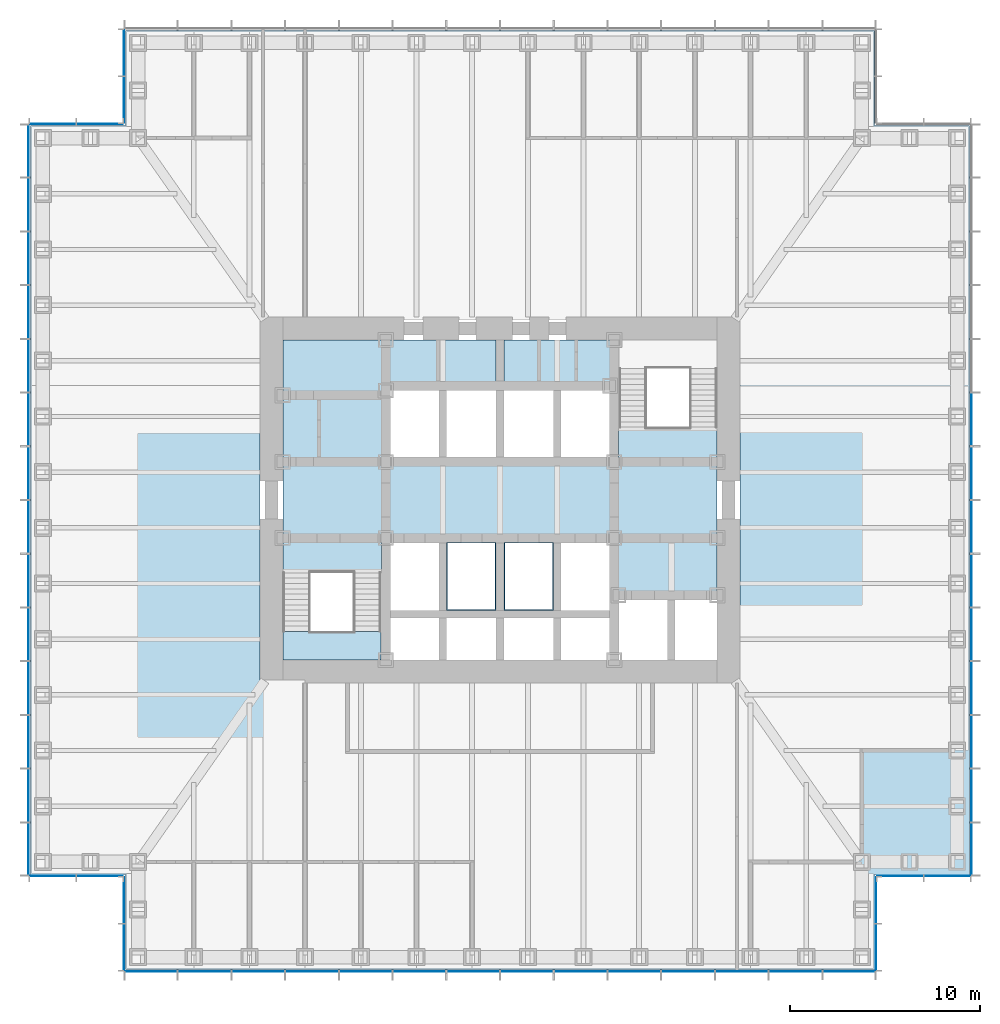
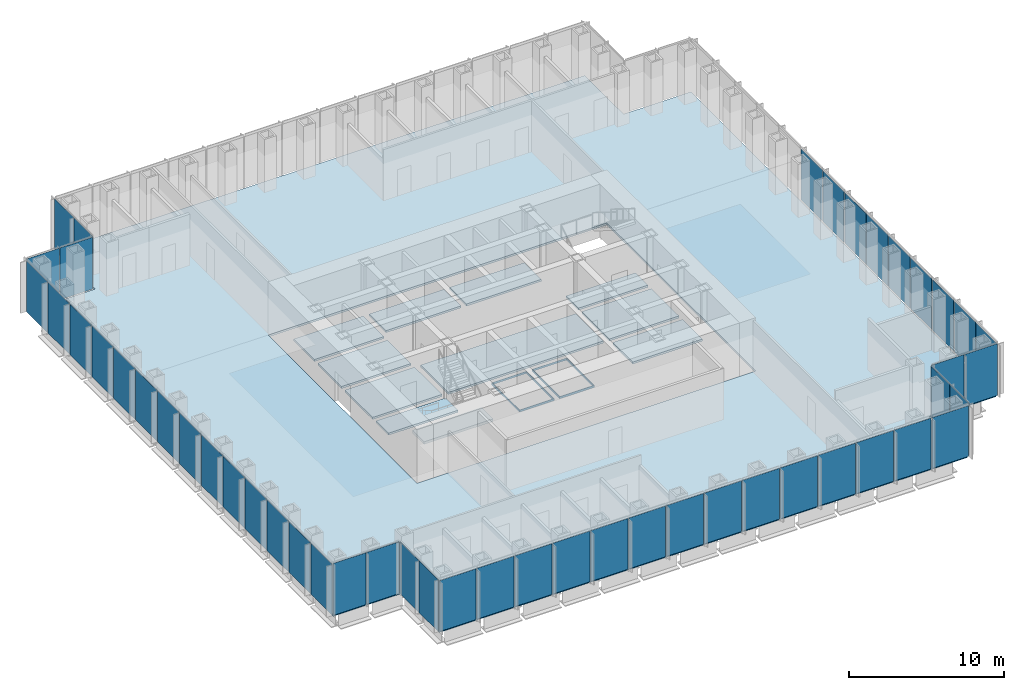
# One storey, part 7 of 16: 49 plates, 14 slabs, 10 elements without a shape of their own.
"""IFC4 building model written with IfcOpenShell, lengths in metres."""

import ifcopenshell
import ifcopenshell.guid

model = None  # the IFC model being written
_history = None  # IfcOwnerHistory: only IFC2X3 demands one
_inside = {}  # id of a spatial element -> (the spatial element, [elements in it])
_under = {}  # id of a project, library or spatial element -> (it, [spatial elements below it])
_declared = {}  # id of a project -> (the project, [libraries it declares])
_typed = {}  # id of a type object -> (the type object, [elements of that type])
_made_of = {}  # id of a material, layer set ... -> (it, [elements and type objects made of it])


def new_model(schema):
    """Start an empty IFC model of exactly this schema.

    Asked for "IFC4X3", IfcOpenShell would pick the latest addendum, in which some entities
    have other attributes; the version numbers below select the first issue.
    IFC2X3 requires an IfcOwnerHistory on every rooted entity: one is made here for all.
    """
    global model, _history
    if schema == "IFC4X3":
        model = ifcopenshell.file(schema_version=(4, 3, 0, 0))
    else:
        model = ifcopenshell.file(schema=schema)
    _inside.clear()
    _under.clear()
    _declared.clear()
    _typed.clear()
    _made_of.clear()
    _history = None
    if model.schema == "IFC2X3":
        org = make("IfcOrganization", Name="unknown")
        user = make(
            "IfcPersonAndOrganization",
            ThePerson=make("IfcPerson", FamilyName="unknown"),
            TheOrganization=org,
        )
        app = make(
            "IfcApplication",
            ApplicationDeveloper=org,
            Version="unknown",
            ApplicationFullName="unknown",
            ApplicationIdentifier="unknown",
        )
        _history = make(
            "IfcOwnerHistory",
            OwningUser=user,
            OwningApplication=app,
            ChangeAction="ADDED",
            CreationDate=0,
        )
    return model


def make(cls, **values):
    """One entity of the class cls with the attributes given. An attribute that is None is left unset."""
    return model.create_entity(
        cls, **{name: value for name, value in values.items() if value is not None}
    )


def rooted(cls, **values):
    """An entity with a GlobalId (a new one), such as an element, a storey or a relation."""
    return make(cls, GlobalId=ifcopenshell.guid.new(), OwnerHistory=_history, **values)


def si_unit(unit_type, name, prefix=None):
    """IfcSIUnit, for example si_unit("LENGTHUNIT", "METRE", prefix="MILLI")."""
    return make("IfcSIUnit", UnitType=unit_type, Prefix=prefix, Name=name)


def assignment(units):
    """IfcUnitAssignment: the units of a project."""
    return None if units is None else make("IfcUnitAssignment", Units=units)


def point(xyz):
    """IfcCartesianPoint."""
    return None if xyz is None else make("IfcCartesianPoint", Coordinates=xyz)


def direction(xyz):
    """IfcDirection."""
    return None if xyz is None else make("IfcDirection", DirectionRatios=xyz)


def frame(location, z_axis=None, x_axis=None):
    """IfcAxis2Placement3D, a coordinate frame: its origin and axes. An axis left out is left unset."""
    return make(
        "IfcAxis2Placement3D",
        Location=point(location),
        Axis=direction(z_axis),
        RefDirection=direction(x_axis),
    )


def frame_2d(location, x_axis=None):
    """IfcAxis2Placement2D, a coordinate frame in the plane: its origin and x axis."""
    return make(
        "IfcAxis2Placement2D", Location=point(location), RefDirection=direction(x_axis)
    )


def origin():
    """The frame at (0, 0, 0) with its axes left unset."""
    return frame((0.0, 0.0, 0.0))


def origin_2d():
    """The frame at (0, 0) in the plane with its x axis left unset."""
    return frame_2d((0.0, 0.0))


def place(relative_to, where):
    """IfcLocalPlacement: puts the frame where relative to a parent placement (None: the world)."""
    return make(
        "IfcLocalPlacement", PlacementRelTo=relative_to, RelativePlacement=where
    )


def context(
    kind, dimensions, precision=None, world=None, true_north=None, identifier=None
):
    """IfcGeometricRepresentationContext, for example the 3D "Model" context."""
    return make(
        "IfcGeometricRepresentationContext",
        ContextIdentifier=identifier,
        ContextType=kind,
        CoordinateSpaceDimension=dimensions,
        Precision=precision,
        WorldCoordinateSystem=world,
        TrueNorth=true_north,
    )


def subcontext(parent, identifier, kind, view, scale=None):
    """IfcGeometricRepresentationSubContext, for example "Body" below "Model"."""
    return make(
        "IfcGeometricRepresentationSubContext",
        ContextIdentifier=identifier,
        ContextType=kind,
        ParentContext=parent,
        TargetScale=scale,
        TargetView=view,
    )


def project(units=None, contexts=None):
    """IfcProject with its units and contexts."""
    return rooted(
        "IfcProject",
        Name="project",
        RepresentationContexts=contexts,
        UnitsInContext=assignment(units),
    )


def spatial(cls, under=None, at=None, **own):
    """A site, building, storey or space (cls), placed at a placement, below another one or the project."""
    s = rooted(cls, ObjectPlacement=at, **own)
    if under is not None:
        _under.setdefault(under.id(), (under, []))[1].append(s)
    return s


def polyline(points):
    """IfcPolyline through the points."""
    return make("IfcPolyline", Points=[point(p) for p in points])


def profile(cls, at=None, kind="AREA", **sizes):
    """A parametric profile (cls). Its sizes go by their IFC names, for example OverallWidth=200.0."""
    return make(cls, ProfileType=kind, Position=at, **sizes)


def rectangle(**sizes):
    """IfcRectangleProfileDef."""
    return profile("IfcRectangleProfileDef", **sizes)


def outline(outer, holes=None, kind="AREA"):
    """IfcArbitraryClosedProfileDef: a profile drawn as a closed curve; with holes, ...WithVoids."""
    if holes is None:
        return make("IfcArbitraryClosedProfileDef", ProfileType=kind, OuterCurve=outer)
    return make(
        "IfcArbitraryProfileDefWithVoids",
        ProfileType=kind,
        OuterCurve=outer,
        InnerCurves=holes,
    )


def extrude(swept, where, along, depth):
    """IfcExtrudedAreaSolid: the profile swept, set in the frame where, extruded along a direction by depth."""
    return make(
        "IfcExtrudedAreaSolid",
        SweptArea=swept,
        Position=where,
        ExtrudedDirection=direction(along),
        Depth=depth,
    )


def shape(context_of_items, identifier, shape_type, items):
    """IfcShapeRepresentation: the items that make up one representation, for example the "Body"."""
    return make(
        "IfcShapeRepresentation",
        ContextOfItems=context_of_items,
        RepresentationIdentifier=identifier,
        RepresentationType=shape_type,
        Items=items,
    )


def material(Name=None, Category=None):
    """IfcMaterial."""
    return make("IfcMaterial", Name=Name, Category=Category)


def layer(
    of_material, thickness, ventilated=None, Name=None, Category=None, Priority=None
):
    """IfcMaterialLayer: one layer of a wall or slab, of a material (None: an air gap)."""
    return make(
        "IfcMaterialLayer",
        Material=of_material,
        LayerThickness=thickness,
        IsVentilated=ventilated,
        Name=Name,
        Category=Category,
        Priority=Priority,
    )


def layer_set(layers, Name=None):
    """IfcMaterialLayerSet."""
    return make("IfcMaterialLayerSet", MaterialLayers=layers, LayerSetName=Name)


def made_of(thing, what):
    """Note that an element or type object is made of a material, layer set ...; save() writes the relation."""
    if what is not None:
        _made_of.setdefault(what.id(), (what, []))[1].append(thing)
    return thing


def type_object(cls, material=None, **own):
    """A type object (cls), such as IfcWallType, which elements share."""
    return made_of(rooted(cls, **own), material)


def element(
    cls,
    number,
    at=None,
    inside=None,
    cuts=None,
    type_object=None,
    material=None,
    context=None,
    identifier="Body",
    shape_type=None,
    held_by="IfcProductDefinitionShape",
    body=None,
    shapes=None,
    **own,
):
    """One element of the class cls, such as IfcWall. Its Tag is "e" and its number.

    at: its placement. inside: the storey or other place that contains it. cuts: it is an
    opening in that element (IfcRelVoidsElement). A single representation is given by context,
    identifier, shape_type and body (its items); several are given by shapes. held_by: the class
    of the entity that holds the representations. save() writes the other relations.
    """
    e = rooted(cls, Tag="e%d" % number, ObjectPlacement=at, **own)
    if body is not None:
        shapes = [shape(context, identifier, shape_type, body)]
    if shapes is not None:
        e.Representation = make(held_by, Representations=shapes)
    if inside is not None:
        _inside.setdefault(inside.id(), (inside, []))[1].append(e)
    if cuts is not None:
        rooted(
            "IfcRelVoidsElement", RelatingBuildingElement=cuts, RelatedOpeningElement=e
        )
    if type_object is not None:
        _typed.setdefault(type_object.id(), (type_object, []))[1].append(e)
    return made_of(e, material)


def aggregate(whole, parts):
    """IfcRelAggregates: a whole, such as a stair, and the parts it consists of."""
    return rooted("IfcRelAggregates", RelatingObject=whole, RelatedObjects=parts)


def save(model, path):
    """Write the relations noted so far, then the file.

    IfcRelAggregates (storeys below a building ...), IfcRelContainedInSpatialStructure (elements
    in a storey), IfcRelDefinesByType, IfcRelAssociatesMaterial and IfcRelDeclares: one each for
    every whole, place, type object, material and project.
    """
    for whole, parts in _under.values():
        aggregate(whole, parts)
    for where, things in _inside.values():
        rooted(
            "IfcRelContainedInSpatialStructure",
            RelatedElements=things,
            RelatingStructure=where,
        )
    for kind, things in _typed.values():
        rooted("IfcRelDefinesByType", RelatedObjects=things, RelatingType=kind)
    for what, things in _made_of.values():
        rooted("IfcRelAssociatesMaterial", RelatedObjects=things, RelatingMaterial=what)
    for by, libraries in _declared.values():
        rooted("IfcRelDeclares", RelatingContext=by, RelatedDefinitions=libraries)
    model.write(path)


model = new_model("IFC4")

# Units and contexts
model_context = context("Model", 3, precision=1e-05, world=origin(), true_north=direction((0.0, 1.0)))
body_context = subcontext(model_context, "Body", "Model", "MODEL_VIEW")
ifc_project = project(units=[si_unit("LENGTHUNIT", "METRE"), si_unit("AREAUNIT", "SQUARE_METRE"), si_unit("VOLUMEUNIT", "CUBIC_METRE"), si_unit("PLANEANGLEUNIT", "RADIAN"), si_unit("MASSUNIT", "GRAM", prefix="KILO")], contexts=[model_context])

# Site, building, storey
site_placement = place(None, origin())
site = spatial("IfcSite", under=ifc_project, at=site_placement, CompositionType="ELEMENT")
building_placement = place(site_placement, origin())
building = spatial("IfcBuilding", under=site, at=building_placement, Name="Daluyong Arena Tower", CompositionType="ELEMENT")
storey_placement = place(building_placement, frame((0.0, 0.0, 93.699951171875)))
storey = spatial("IfcBuildingStorey", under=building, at=storey_placement, Name="L20", CompositionType="ELEMENT", Elevation=93.699951171875)

# Curtain wall, plates
ifc_material_1 = material(Name="Bronze anodised aluminium and glass", Category="aluminium")
curtain_wall_type_1 = type_object("IfcCurtainWallType", Name="Curtain wall CW1", PredefinedType="USERDEFINED", material=ifc_material_1)
curtain_wall_1_placement = place(storey_placement, origin())
curtain_wall_1 = element("IfcCurtainWall", 1, at=curtain_wall_1_placement, inside=storey, type_object=curtain_wall_type_1, Name="curtain wall L20 S", ObjectType="UNITISED CURTAIN WALL", PredefinedType="USERDEFINED")
ifc_material_2 = material(Name="Tinted double glazed unit", Category="glass")
ifc_layer_1 = layer(ifc_material_2, 0.031982421875)
ifc_layer_set_1 = layer_set([ifc_layer_1], Name="Tinted double glazed unit")
plate_type_1 = type_object("IfcPlateType", Name="CW1 panel 32", PredefinedType="CURTAIN_PANEL", material=ifc_layer_set_1)
plate_1_placement = place(storey_placement, frame((37.6806640625, 55.25, 0.0), z_axis=(0.0, 0.0, 1.0), x_axis=(1.0, 0.0, 0.0)))
plate_1 = element("IfcPlate", 2, at=plate_1_placement, type_object=plate_type_1, Name="curtain wall L20 S panel 1", PredefinedType="CURTAIN_PANEL", context=body_context, shape_type="SweptSolid", body=[
    extrude(rectangle(XDim=2.701416015625, YDim=0.031982421875, at=origin_2d()), origin(), (0.0, 0.0, 1.0), 4.0),
])
plate_2_placement = place(storey_placement, frame((40.482177734375, 55.25, 0.0), z_axis=(0.0, 0.0, 1.0), x_axis=(1.0, 0.0, 0.0)))
plate_2 = element("IfcPlate", 3, at=plate_2_placement, type_object=plate_type_1, Name="curtain wall L20 S panel 2", PredefinedType="CURTAIN_PANEL", context=body_context, shape_type="SweptSolid", body=[
    extrude(rectangle(XDim=2.741455078125, YDim=0.031982421875, at=origin_2d()), origin(), (0.0, 0.0, 1.0), 4.0),
])
plate_3_placement = place(storey_placement, frame((43.303466796875, 55.25, 0.0), z_axis=(0.0, 0.0, 1.0), x_axis=(1.0, 0.0, 0.0)))
plate_3 = element("IfcPlate", 4, at=plate_3_placement, type_object=plate_type_1, Name="curtain wall L20 S panel 3", PredefinedType="CURTAIN_PANEL", context=body_context, shape_type="SweptSolid", body=[
    extrude(rectangle(XDim=2.741455078125, YDim=0.031982421875, at=origin_2d()), origin(), (0.0, 0.0, 1.0), 4.0),
])
plate_4_placement = place(storey_placement, frame((46.125, 55.25, 0.0), z_axis=(0.0, 0.0, 1.0), x_axis=(1.0, 0.0, 0.0)))
plate_4 = element("IfcPlate", 5, at=plate_4_placement, type_object=plate_type_1, Name="curtain wall L20 S panel 4", PredefinedType="CURTAIN_PANEL", context=body_context, shape_type="SweptSolid", body=[
    extrude(rectangle(XDim=2.741455078125, YDim=0.031982421875, at=origin_2d()), origin(), (0.0, 0.0, 1.0), 4.0),
])
plate_5_placement = place(storey_placement, frame((48.946533203125, 55.25, 0.0), z_axis=(0.0, 0.0, 1.0), x_axis=(1.0, 0.0, 0.0)))
plate_5 = element("IfcPlate", 6, at=plate_5_placement, type_object=plate_type_1, Name="curtain wall L20 S panel 5", PredefinedType="CURTAIN_PANEL", context=body_context, shape_type="SweptSolid", body=[
    extrude(rectangle(XDim=2.741455078125, YDim=0.031982421875, at=origin_2d()), origin(), (0.0, 0.0, 1.0), 4.0),
])
plate_6_placement = place(storey_placement, frame((51.767822265625, 55.25, 0.0), z_axis=(0.0, 0.0, 1.0), x_axis=(1.0, 0.0, 0.0)))
plate_6 = element("IfcPlate", 7, at=plate_6_placement, type_object=plate_type_1, Name="curtain wall L20 S panel 6", PredefinedType="CURTAIN_PANEL", context=body_context, shape_type="SweptSolid", body=[
    extrude(rectangle(XDim=2.741455078125, YDim=0.031982421875, at=origin_2d()), origin(), (0.0, 0.0, 1.0), 4.0),
])
plate_7_placement = place(storey_placement, frame((54.58935546875, 55.25, 0.0), z_axis=(0.0, 0.0, 1.0), x_axis=(1.0, 0.0, 0.0)))
plate_7 = element("IfcPlate", 8, at=plate_7_placement, type_object=plate_type_1, Name="curtain wall L20 S panel 7", PredefinedType="CURTAIN_PANEL", context=body_context, shape_type="SweptSolid", body=[
    extrude(rectangle(XDim=2.741455078125, YDim=0.031982421875, at=origin_2d()), origin(), (0.0, 0.0, 1.0), 4.0),
])
plate_8_placement = place(storey_placement, frame((57.41064453125, 55.25, 0.0), z_axis=(0.0, 0.0, 1.0), x_axis=(1.0, 0.0, 0.0)))
plate_8 = element("IfcPlate", 9, at=plate_8_placement, type_object=plate_type_1, Name="curtain wall L20 S panel 8", PredefinedType="CURTAIN_PANEL", context=body_context, shape_type="SweptSolid", body=[
    extrude(rectangle(XDim=2.741455078125, YDim=0.031982421875, at=origin_2d()), origin(), (0.0, 0.0, 1.0), 4.0),
])
plate_9_placement = place(storey_placement, frame((60.232177734375, 55.25, 0.0), z_axis=(0.0, 0.0, 1.0), x_axis=(1.0, 0.0, 0.0)))
plate_9 = element("IfcPlate", 10, at=plate_9_placement, type_object=plate_type_1, Name="curtain wall L20 S panel 9", PredefinedType="CURTAIN_PANEL", context=body_context, shape_type="SweptSolid", body=[
    extrude(rectangle(XDim=2.741455078125, YDim=0.031982421875, at=origin_2d()), origin(), (0.0, 0.0, 1.0), 4.0),
])
plate_10_placement = place(storey_placement, frame((63.053466796875, 55.25, 0.0), z_axis=(0.0, 0.0, 1.0), x_axis=(1.0, 0.0, 0.0)))
plate_10 = element("IfcPlate", 11, at=plate_10_placement, type_object=plate_type_1, Name="curtain wall L20 S panel 10", PredefinedType="CURTAIN_PANEL", context=body_context, shape_type="SweptSolid", body=[
    extrude(rectangle(XDim=2.741455078125, YDim=0.031982421875, at=origin_2d()), origin(), (0.0, 0.0, 1.0), 4.0),
])
plate_11_placement = place(storey_placement, frame((65.875, 55.25, 0.0), z_axis=(0.0, 0.0, 1.0), x_axis=(1.0, 0.0, 0.0)))
plate_11 = element("IfcPlate", 12, at=plate_11_placement, type_object=plate_type_1, Name="curtain wall L20 S panel 11", PredefinedType="CURTAIN_PANEL", context=body_context, shape_type="SweptSolid", body=[
    extrude(rectangle(XDim=2.741455078125, YDim=0.031982421875, at=origin_2d()), origin(), (0.0, 0.0, 1.0), 4.0),
])
plate_12_placement = place(storey_placement, frame((68.696533203125, 55.25, 0.0), z_axis=(0.0, 0.0, 1.0), x_axis=(1.0, 0.0, 0.0)))
plate_12 = element("IfcPlate", 13, at=plate_12_placement, type_object=plate_type_1, Name="curtain wall L20 S panel 12", PredefinedType="CURTAIN_PANEL", context=body_context, shape_type="SweptSolid", body=[
    extrude(rectangle(XDim=2.741455078125, YDim=0.031982421875, at=origin_2d()), origin(), (0.0, 0.0, 1.0), 4.0),
])
plate_13_placement = place(storey_placement, frame((71.517822265625, 55.25, 0.0), z_axis=(0.0, 0.0, 1.0), x_axis=(1.0, 0.0, 0.0)))
plate_13 = element("IfcPlate", 14, at=plate_13_placement, type_object=plate_type_1, Name="curtain wall L20 S panel 13", PredefinedType="CURTAIN_PANEL", context=body_context, shape_type="SweptSolid", body=[
    extrude(rectangle(XDim=2.741455078125, YDim=0.031982421875, at=origin_2d()), origin(), (0.0, 0.0, 1.0), 4.0),
])
plate_14_placement = place(storey_placement, frame((74.3193359375, 55.25, 0.0), z_axis=(0.0, 0.0, 1.0), x_axis=(1.0, 0.0, 0.0)))
plate_14 = element("IfcPlate", 15, at=plate_14_placement, type_object=plate_type_1, Name="curtain wall L20 S panel 14", PredefinedType="CURTAIN_PANEL", context=body_context, shape_type="SweptSolid", body=[
    extrude(rectangle(XDim=2.701416015625, YDim=0.031982421875, at=origin_2d()), origin(), (0.0, 0.0, 1.0), 4.0),
])
aggregate(curtain_wall_1, [plate_1, plate_2, plate_3, plate_4, plate_5, plate_6, plate_7, plate_8, plate_9, plate_10, plate_11, plate_12, plate_13, plate_14])

curtain_wall_2_placement = place(storey_placement, origin())
curtain_wall_2 = element("IfcCurtainWall", 16, at=curtain_wall_2_placement, inside=storey, type_object=curtain_wall_type_1, Name="curtain wall L20 E", ObjectType="UNITISED CURTAIN WALL", PredefinedType="USERDEFINED")
plate_15_placement = place(storey_placement, frame((80.75, 61.6806640625, 0.0), z_axis=(0.0, 0.0, 1.0), x_axis=(0.0, 1.0, 0.0)))
plate_15 = element("IfcPlate", 17, at=plate_15_placement, type_object=plate_type_1, Name="curtain wall L20 E panel 1", PredefinedType="CURTAIN_PANEL", context=body_context, shape_type="SweptSolid", body=[
    extrude(rectangle(XDim=2.701416015625, YDim=0.031982421875, at=origin_2d()), origin(), (0.0, 0.0, 1.0), 4.0),
])
plate_16_placement = place(storey_placement, frame((80.75, 64.482177734375, 0.0), z_axis=(0.0, 0.0, 1.0), x_axis=(0.0, 1.0, 0.0)))
plate_16 = element("IfcPlate", 18, at=plate_16_placement, type_object=plate_type_1, Name="curtain wall L20 E panel 2", PredefinedType="CURTAIN_PANEL", context=body_context, shape_type="SweptSolid", body=[
    extrude(rectangle(XDim=2.741455078125, YDim=0.031982421875, at=origin_2d()), origin(), (0.0, 0.0, 1.0), 4.0),
])
plate_17_placement = place(storey_placement, frame((80.75, 67.303466796875, 0.0), z_axis=(0.0, 0.0, 1.0), x_axis=(0.0, 1.0, 0.0)))
plate_17 = element("IfcPlate", 19, at=plate_17_placement, type_object=plate_type_1, Name="curtain wall L20 E panel 3", PredefinedType="CURTAIN_PANEL", context=body_context, shape_type="SweptSolid", body=[
    extrude(rectangle(XDim=2.741455078125, YDim=0.031982421875, at=origin_2d()), origin(), (0.0, 0.0, 1.0), 4.0),
])
plate_18_placement = place(storey_placement, frame((80.75, 70.125, 0.0), z_axis=(0.0, 0.0, 1.0), x_axis=(0.0, 1.0, 0.0)))
plate_18 = element("IfcPlate", 20, at=plate_18_placement, type_object=plate_type_1, Name="curtain wall L20 E panel 4", PredefinedType="CURTAIN_PANEL", context=body_context, shape_type="SweptSolid", body=[
    extrude(rectangle(XDim=2.741455078125, YDim=0.031982421875, at=origin_2d()), origin(), (0.0, 0.0, 1.0), 4.0),
])
plate_19_placement = place(storey_placement, frame((80.75, 72.946533203125, 0.0), z_axis=(0.0, 0.0, 1.0), x_axis=(0.0, 1.0, 0.0)))
plate_19 = element("IfcPlate", 21, at=plate_19_placement, type_object=plate_type_1, Name="curtain wall L20 E panel 5", PredefinedType="CURTAIN_PANEL", context=body_context, shape_type="SweptSolid", body=[
    extrude(rectangle(XDim=2.741455078125, YDim=0.031982421875, at=origin_2d()), origin(), (0.0, 0.0, 1.0), 4.0),
])
plate_20_placement = place(storey_placement, frame((80.75, 75.767822265625, 0.0), z_axis=(0.0, 0.0, 1.0), x_axis=(0.0, 1.0, 0.0)))
plate_20 = element("IfcPlate", 22, at=plate_20_placement, type_object=plate_type_1, Name="curtain wall L20 E panel 6", PredefinedType="CURTAIN_PANEL", context=body_context, shape_type="SweptSolid", body=[
    extrude(rectangle(XDim=2.741455078125, YDim=0.031982421875, at=origin_2d()), origin(), (0.0, 0.0, 1.0), 4.0),
])
plate_21_placement = place(storey_placement, frame((80.75, 78.58935546875, 0.0), z_axis=(0.0, 0.0, 1.0), x_axis=(0.0, 1.0, 0.0)))
plate_21 = element("IfcPlate", 23, at=plate_21_placement, type_object=plate_type_1, Name="curtain wall L20 E panel 7", PredefinedType="CURTAIN_PANEL", context=body_context, shape_type="SweptSolid", body=[
    extrude(rectangle(XDim=2.741455078125, YDim=0.031982421875, at=origin_2d()), origin(), (0.0, 0.0, 1.0), 4.0),
])
plate_22_placement = place(storey_placement, frame((80.75, 81.41064453125, 0.0), z_axis=(0.0, 0.0, 1.0), x_axis=(0.0, 1.0, 0.0)))
plate_22 = element("IfcPlate", 24, at=plate_22_placement, type_object=plate_type_1, Name="curtain wall L20 E panel 8", PredefinedType="CURTAIN_PANEL", context=body_context, shape_type="SweptSolid", body=[
    extrude(rectangle(XDim=2.741455078125, YDim=0.031982421875, at=origin_2d()), origin(), (0.0, 0.0, 1.0), 4.0),
])
plate_23_placement = place(storey_placement, frame((80.75, 84.232177734375, 0.0), z_axis=(0.0, 0.0, 1.0), x_axis=(0.0, 1.0, 0.0)))
plate_23 = element("IfcPlate", 25, at=plate_23_placement, type_object=plate_type_1, Name="curtain wall L20 E panel 9", PredefinedType="CURTAIN_PANEL", context=body_context, shape_type="SweptSolid", body=[
    extrude(rectangle(XDim=2.741455078125, YDim=0.031982421875, at=origin_2d()), origin(), (0.0, 0.0, 1.0), 4.0),
])
aggregate(curtain_wall_2, [plate_15, plate_16, plate_17, plate_18, plate_19, plate_20, plate_21, plate_22, plate_23])

curtain_wall_3_placement = place(storey_placement, origin())
curtain_wall_3 = element("IfcCurtainWall", 26, at=curtain_wall_3_placement, inside=storey, type_object=curtain_wall_type_1, Name="curtain wall L20 W", ObjectType="UNITISED CURTAIN WALL", PredefinedType="USERDEFINED")
plate_24_placement = place(storey_placement, frame((31.25, 98.3193359375, 0.0), z_axis=(0.0, 0.0, 1.0), x_axis=(0.0, -1.0, 0.0)))
plate_24 = element("IfcPlate", 27, at=plate_24_placement, type_object=plate_type_1, Name="curtain wall L20 W panel 1", PredefinedType="CURTAIN_PANEL", context=body_context, shape_type="SweptSolid", body=[
    extrude(rectangle(XDim=2.701416015625, YDim=0.031982421875, at=origin_2d()), origin(), (0.0, 0.0, 1.0), 4.0),
])
plate_25_placement = place(storey_placement, frame((31.25, 95.517822265625, 0.0), z_axis=(0.0, 0.0, 1.0), x_axis=(0.0, -1.0, 0.0)))
plate_25 = element("IfcPlate", 28, at=plate_25_placement, type_object=plate_type_1, Name="curtain wall L20 W panel 2", PredefinedType="CURTAIN_PANEL", context=body_context, shape_type="SweptSolid", body=[
    extrude(rectangle(XDim=2.741455078125, YDim=0.031982421875, at=origin_2d()), origin(), (0.0, 0.0, 1.0), 4.0),
])
plate_26_placement = place(storey_placement, frame((31.25, 92.696533203125, 0.0), z_axis=(0.0, 0.0, 1.0), x_axis=(0.0, -1.0, 0.0)))
plate_26 = element("IfcPlate", 29, at=plate_26_placement, type_object=plate_type_1, Name="curtain wall L20 W panel 3", PredefinedType="CURTAIN_PANEL", context=body_context, shape_type="SweptSolid", body=[
    extrude(rectangle(XDim=2.741455078125, YDim=0.031982421875, at=origin_2d()), origin(), (0.0, 0.0, 1.0), 4.0),
])
plate_27_placement = place(storey_placement, frame((31.25, 89.875, 0.0), z_axis=(0.0, 0.0, 1.0), x_axis=(0.0, -1.0, 0.0)))
plate_27 = element("IfcPlate", 30, at=plate_27_placement, type_object=plate_type_1, Name="curtain wall L20 W panel 4", PredefinedType="CURTAIN_PANEL", context=body_context, shape_type="SweptSolid", body=[
    extrude(rectangle(XDim=2.741455078125, YDim=0.031982421875, at=origin_2d()), origin(), (0.0, 0.0, 1.0), 4.0),
])
plate_28_placement = place(storey_placement, frame((31.25, 87.053466796875, 0.0), z_axis=(0.0, 0.0, 1.0), x_axis=(0.0, -1.0, 0.0)))
plate_28 = element("IfcPlate", 31, at=plate_28_placement, type_object=plate_type_1, Name="curtain wall L20 W panel 5", PredefinedType="CURTAIN_PANEL", context=body_context, shape_type="SweptSolid", body=[
    extrude(rectangle(XDim=2.741455078125, YDim=0.031982421875, at=origin_2d()), origin(), (0.0, 0.0, 1.0), 4.0),
])
plate_29_placement = place(storey_placement, frame((31.25, 84.232177734375, 0.0), z_axis=(0.0, 0.0, 1.0), x_axis=(0.0, -1.0, 0.0)))
plate_29 = element("IfcPlate", 32, at=plate_29_placement, type_object=plate_type_1, Name="curtain wall L20 W panel 6", PredefinedType="CURTAIN_PANEL", context=body_context, shape_type="SweptSolid", body=[
    extrude(rectangle(XDim=2.741455078125, YDim=0.031982421875, at=origin_2d()), origin(), (0.0, 0.0, 1.0), 4.0),
])
plate_30_placement = place(storey_placement, frame((31.25, 81.41064453125, 0.0), z_axis=(0.0, 0.0, 1.0), x_axis=(0.0, -1.0, 0.0)))
plate_30 = element("IfcPlate", 33, at=plate_30_placement, type_object=plate_type_1, Name="curtain wall L20 W panel 7", PredefinedType="CURTAIN_PANEL", context=body_context, shape_type="SweptSolid", body=[
    extrude(rectangle(XDim=2.741455078125, YDim=0.031982421875, at=origin_2d()), origin(), (0.0, 0.0, 1.0), 4.0),
])
plate_31_placement = place(storey_placement, frame((31.25, 78.58935546875, 0.0), z_axis=(0.0, 0.0, 1.0), x_axis=(0.0, -1.0, 0.0)))
plate_31 = element("IfcPlate", 34, at=plate_31_placement, type_object=plate_type_1, Name="curtain wall L20 W panel 8", PredefinedType="CURTAIN_PANEL", context=body_context, shape_type="SweptSolid", body=[
    extrude(rectangle(XDim=2.741455078125, YDim=0.031982421875, at=origin_2d()), origin(), (0.0, 0.0, 1.0), 4.0),
])
plate_32_placement = place(storey_placement, frame((31.25, 75.767822265625, 0.0), z_axis=(0.0, 0.0, 1.0), x_axis=(0.0, -1.0, 0.0)))
plate_32 = element("IfcPlate", 35, at=plate_32_placement, type_object=plate_type_1, Name="curtain wall L20 W panel 9", PredefinedType="CURTAIN_PANEL", context=body_context, shape_type="SweptSolid", body=[
    extrude(rectangle(XDim=2.741455078125, YDim=0.031982421875, at=origin_2d()), origin(), (0.0, 0.0, 1.0), 4.0),
])
plate_33_placement = place(storey_placement, frame((31.25, 72.946533203125, 0.0), z_axis=(0.0, 0.0, 1.0), x_axis=(0.0, -1.0, 0.0)))
plate_33 = element("IfcPlate", 36, at=plate_33_placement, type_object=plate_type_1, Name="curtain wall L20 W panel 10", PredefinedType="CURTAIN_PANEL", context=body_context, shape_type="SweptSolid", body=[
    extrude(rectangle(XDim=2.741455078125, YDim=0.031982421875, at=origin_2d()), origin(), (0.0, 0.0, 1.0), 4.0),
])
plate_34_placement = place(storey_placement, frame((31.25, 70.125, 0.0), z_axis=(0.0, 0.0, 1.0), x_axis=(0.0, -1.0, 0.0)))
plate_34 = element("IfcPlate", 37, at=plate_34_placement, type_object=plate_type_1, Name="curtain wall L20 W panel 11", PredefinedType="CURTAIN_PANEL", context=body_context, shape_type="SweptSolid", body=[
    extrude(rectangle(XDim=2.741455078125, YDim=0.031982421875, at=origin_2d()), origin(), (0.0, 0.0, 1.0), 4.0),
])
plate_35_placement = place(storey_placement, frame((31.25, 67.303466796875, 0.0), z_axis=(0.0, 0.0, 1.0), x_axis=(0.0, -1.0, 0.0)))
plate_35 = element("IfcPlate", 38, at=plate_35_placement, type_object=plate_type_1, Name="curtain wall L20 W panel 12", PredefinedType="CURTAIN_PANEL", context=body_context, shape_type="SweptSolid", body=[
    extrude(rectangle(XDim=2.741455078125, YDim=0.031982421875, at=origin_2d()), origin(), (0.0, 0.0, 1.0), 4.0),
])
plate_36_placement = place(storey_placement, frame((31.25, 64.482177734375, 0.0), z_axis=(0.0, 0.0, 1.0), x_axis=(0.0, -1.0, 0.0)))
plate_36 = element("IfcPlate", 39, at=plate_36_placement, type_object=plate_type_1, Name="curtain wall L20 W panel 13", PredefinedType="CURTAIN_PANEL", context=body_context, shape_type="SweptSolid", body=[
    extrude(rectangle(XDim=2.741455078125, YDim=0.031982421875, at=origin_2d()), origin(), (0.0, 0.0, 1.0), 4.0),
])
plate_37_placement = place(storey_placement, frame((31.25, 61.6806640625, 0.0), z_axis=(0.0, 0.0, 1.0), x_axis=(0.0, -1.0, 0.0)))
plate_37 = element("IfcPlate", 40, at=plate_37_placement, type_object=plate_type_1, Name="curtain wall L20 W panel 14", PredefinedType="CURTAIN_PANEL", context=body_context, shape_type="SweptSolid", body=[
    extrude(rectangle(XDim=2.701416015625, YDim=0.031982421875, at=origin_2d()), origin(), (0.0, 0.0, 1.0), 4.0),
])
aggregate(curtain_wall_3, [plate_24, plate_25, plate_26, plate_27, plate_28, plate_29, plate_30, plate_31, plate_32, plate_33, plate_34, plate_35, plate_36, plate_37])

ifc_material_3 = material(Name="Bronze anodised aluminium and glass", Category="aluminium")
curtain_wall_type_2 = type_object("IfcCurtainWallType", Name="Curtain wall CW7", PredefinedType="USERDEFINED", material=ifc_material_3)
curtain_wall_4_placement = place(storey_placement, origin())
curtain_wall_4 = element("IfcCurtainWall", 41, at=curtain_wall_4_placement, inside=storey, type_object=curtain_wall_type_2, Name="curtain wall L20 SE-E", ObjectType="UNITISED CURTAIN WALL", PredefinedType="USERDEFINED")
ifc_material_4 = material(Name="Tinted double glazed unit", Category="glass")
ifc_layer_2 = layer(ifc_material_4, 0.028076171875)
ifc_layer_set_2 = layer_set([ifc_layer_2], Name="Tinted double glazed unit")
plate_type_2 = type_object("IfcPlateType", Name="CW7 panel 28", PredefinedType="CURTAIN_PANEL", material=ifc_layer_set_2)
plate_38_placement = place(storey_placement, frame((75.75, 56.514892578125, 0.0), z_axis=(0.0, 0.0, 1.0), x_axis=(0.0, 1.0, 0.0)))
plate_38 = element("IfcPlate", 42, at=plate_38_placement, type_object=plate_type_2, Name="curtain wall L20 SE-E panel 1", PredefinedType="CURTAIN_PANEL", context=body_context, shape_type="SweptSolid", body=[
    extrude(rectangle(XDim=2.409912109375, YDim=0.028076171875, at=origin_2d()), origin(), (0.0, 0.0, 1.0), 4.080078125),
])
plate_39_placement = place(storey_placement, frame((75.75, 58.985107421875, 0.0), z_axis=(0.0, 0.0, 1.0), x_axis=(0.0, 1.0, 0.0)))
plate_39 = element("IfcPlate", 43, at=plate_39_placement, type_object=plate_type_2, Name="curtain wall L20 SE-E panel 2", PredefinedType="CURTAIN_PANEL", context=body_context, shape_type="SweptSolid", body=[
    extrude(rectangle(XDim=2.409912109375, YDim=0.028076171875, at=origin_2d()), origin(), (0.0, 0.0, 1.0), 4.080078125),
])
aggregate(curtain_wall_4, [plate_38, plate_39])

curtain_wall_5_placement = place(storey_placement, origin())
curtain_wall_5 = element("IfcCurtainWall", 44, at=curtain_wall_5_placement, inside=storey, type_object=curtain_wall_type_2, Name="curtain wall L20 SE-S", ObjectType="UNITISED CURTAIN WALL", PredefinedType="USERDEFINED")
plate_40_placement = place(storey_placement, frame((77.014892578125, 60.25, 0.0), z_axis=(0.0, 0.0, 1.0), x_axis=(1.0, 0.0, 0.0)))
plate_40 = element("IfcPlate", 45, at=plate_40_placement, type_object=plate_type_2, Name="curtain wall L20 SE-S panel 1", PredefinedType="CURTAIN_PANEL", context=body_context, shape_type="SweptSolid", body=[
    extrude(rectangle(XDim=2.409912109375, YDim=0.028076171875, at=origin_2d()), origin(), (0.0, 0.0, 1.0), 4.080078125),
])
plate_41_placement = place(storey_placement, frame((79.485107421875, 60.25, 0.0), z_axis=(0.0, 0.0, 1.0), x_axis=(1.0, 0.0, 0.0)))
plate_41 = element("IfcPlate", 46, at=plate_41_placement, type_object=plate_type_2, Name="curtain wall L20 SE-S panel 2", PredefinedType="CURTAIN_PANEL", context=body_context, shape_type="SweptSolid", body=[
    extrude(rectangle(XDim=2.409912109375, YDim=0.028076171875, at=origin_2d()), origin(), (0.0, 0.0, 1.0), 4.080078125),
])
aggregate(curtain_wall_5, [plate_40, plate_41])

curtain_wall_6_placement = place(storey_placement, origin())
curtain_wall_6 = element("IfcCurtainWall", 47, at=curtain_wall_6_placement, inside=storey, type_object=curtain_wall_type_2, Name="curtain wall L20 NW-W", ObjectType="UNITISED CURTAIN WALL", PredefinedType="USERDEFINED")
plate_42_placement = place(storey_placement, frame((36.25, 103.485107421875, 0.0), z_axis=(0.0, 0.0, 1.0), x_axis=(0.0, -1.0, 0.0)))
plate_42 = element("IfcPlate", 48, at=plate_42_placement, type_object=plate_type_2, Name="curtain wall L20 NW-W panel 1", PredefinedType="CURTAIN_PANEL", context=body_context, shape_type="SweptSolid", body=[
    extrude(rectangle(XDim=2.409912109375, YDim=0.028076171875, at=origin_2d()), origin(), (0.0, 0.0, 1.0), 4.080078125),
])
plate_43_placement = place(storey_placement, frame((36.25, 101.014892578125, 0.0), z_axis=(0.0, 0.0, 1.0), x_axis=(0.0, -1.0, 0.0)))
plate_43 = element("IfcPlate", 49, at=plate_43_placement, type_object=plate_type_2, Name="curtain wall L20 NW-W panel 2", PredefinedType="CURTAIN_PANEL", context=body_context, shape_type="SweptSolid", body=[
    extrude(rectangle(XDim=2.409912109375, YDim=0.028076171875, at=origin_2d()), origin(), (0.0, 0.0, 1.0), 4.080078125),
])
aggregate(curtain_wall_6, [plate_42, plate_43])

curtain_wall_7_placement = place(storey_placement, origin())
curtain_wall_7 = element("IfcCurtainWall", 50, at=curtain_wall_7_placement, inside=storey, type_object=curtain_wall_type_2, Name="curtain wall L20 NW-N", ObjectType="UNITISED CURTAIN WALL", PredefinedType="USERDEFINED")
plate_44_placement = place(storey_placement, frame((34.985107421875, 99.75, 0.0), z_axis=(0.0, 0.0, 1.0), x_axis=(-1.0, 0.0, 0.0)))
plate_44 = element("IfcPlate", 51, at=plate_44_placement, type_object=plate_type_2, Name="curtain wall L20 NW-N panel 1", PredefinedType="CURTAIN_PANEL", context=body_context, shape_type="SweptSolid", body=[
    extrude(rectangle(XDim=2.409912109375, YDim=0.028076171875, at=origin_2d()), origin(), (0.0, 0.0, 1.0), 4.080078125),
])
plate_45_placement = place(storey_placement, frame((32.514892578125, 99.75, 0.0), z_axis=(0.0, 0.0, 1.0), x_axis=(-1.0, 0.0, 0.0)))
plate_45 = element("IfcPlate", 52, at=plate_45_placement, type_object=plate_type_2, Name="curtain wall L20 NW-N panel 2", PredefinedType="CURTAIN_PANEL", context=body_context, shape_type="SweptSolid", body=[
    extrude(rectangle(XDim=2.409912109375, YDim=0.028076171875, at=origin_2d()), origin(), (0.0, 0.0, 1.0), 4.080078125),
])
aggregate(curtain_wall_7, [plate_44, plate_45])

curtain_wall_8_placement = place(storey_placement, origin())
curtain_wall_8 = element("IfcCurtainWall", 53, at=curtain_wall_8_placement, inside=storey, type_object=curtain_wall_type_2, Name="curtain wall L20 SW-S", ObjectType="UNITISED CURTAIN WALL", PredefinedType="USERDEFINED")
plate_46_placement = place(storey_placement, frame((32.514892578125, 60.25, 0.0), z_axis=(0.0, 0.0, 1.0), x_axis=(1.0, 0.0, 0.0)))
plate_46 = element("IfcPlate", 54, at=plate_46_placement, type_object=plate_type_2, Name="curtain wall L20 SW-S panel 1", PredefinedType="CURTAIN_PANEL", context=body_context, shape_type="SweptSolid", body=[
    extrude(rectangle(XDim=2.409912109375, YDim=0.028076171875, at=origin_2d()), origin(), (0.0, 0.0, 1.0), 4.080078125),
])
plate_47_placement = place(storey_placement, frame((34.985107421875, 60.25, 0.0), z_axis=(0.0, 0.0, 1.0), x_axis=(1.0, 0.0, 0.0)))
plate_47 = element("IfcPlate", 55, at=plate_47_placement, type_object=plate_type_2, Name="curtain wall L20 SW-S panel 2", PredefinedType="CURTAIN_PANEL", context=body_context, shape_type="SweptSolid", body=[
    extrude(rectangle(XDim=2.409912109375, YDim=0.028076171875, at=origin_2d()), origin(), (0.0, 0.0, 1.0), 4.080078125),
])
aggregate(curtain_wall_8, [plate_46, plate_47])

curtain_wall_9_placement = place(storey_placement, origin())
curtain_wall_9 = element("IfcCurtainWall", 56, at=curtain_wall_9_placement, inside=storey, type_object=curtain_wall_type_2, Name="curtain wall L20 SW-W", ObjectType="UNITISED CURTAIN WALL", PredefinedType="USERDEFINED")
plate_48_placement = place(storey_placement, frame((36.25, 58.985107421875, 0.0), z_axis=(0.0, 0.0, 1.0), x_axis=(0.0, -1.0, 0.0)))
plate_48 = element("IfcPlate", 57, at=plate_48_placement, type_object=plate_type_2, Name="curtain wall L20 SW-W panel 1", PredefinedType="CURTAIN_PANEL", context=body_context, shape_type="SweptSolid", body=[
    extrude(rectangle(XDim=2.409912109375, YDim=0.028076171875, at=origin_2d()), origin(), (0.0, 0.0, 1.0), 4.080078125),
])
plate_49_placement = place(storey_placement, frame((36.25, 56.514892578125, 0.0), z_axis=(0.0, 0.0, 1.0), x_axis=(0.0, -1.0, 0.0)))
plate_49 = element("IfcPlate", 58, at=plate_49_placement, type_object=plate_type_2, Name="curtain wall L20 SW-W panel 2", PredefinedType="CURTAIN_PANEL", context=body_context, shape_type="SweptSolid", body=[
    extrude(rectangle(XDim=2.409912109375, YDim=0.028076171875, at=origin_2d()), origin(), (0.0, 0.0, 1.0), 4.080078125),
])
aggregate(curtain_wall_9, [plate_48, plate_49])

# Stair, slab
ifc_material_5 = material(Name="Concrete fc' 35 MPa", Category="concrete")
stair_type = type_object("IfcStairType", Name="Core exit stair", PredefinedType="HALF_TURN_STAIR", material=ifc_material_5)
stair_placement = place(storey_placement, origin())
stair = element("IfcStair", 59, at=stair_placement, inside=storey, type_object=stair_type, Name="exit stair A L20", PredefinedType="HALF_TURN_STAIR")
ifc_material_6 = material(Name="Concrete fc' 35 MPa", Category="concrete")
ifc_layer_3 = layer(ifc_material_6, 0.199951171875)
ifc_layer_set_3 = layer_set([ifc_layer_3], Name="Concrete fc' 35 MPa")
slab_type_1 = type_object("IfcSlabType", Name="Stair landing 200", PredefinedType="LANDING", material=ifc_layer_set_3)
slab_1_placement = place(storey_placement, frame((0.0, 0.0, 1.900146484375)))
slab_1 = element("IfcSlab", 60, at=slab_1_placement, type_object=slab_type_1, Name="STA landing 1", PredefinedType="LANDING", context=body_context, shape_type="SweptSolid", body=[
    extrude(outline(polyline([(44.60009765625, 71.60009765625), (49.75, 71.60009765625), (49.75, 73.094970703125), (44.60009765625, 73.094970703125), (44.60009765625, 71.60009765625)])), origin(), (0.0, 0.0, 1.0), 0.199951171875),
])
aggregate(stair, [slab_1])

# Slabs
ifc_material_7 = material(Name="Concrete fc' 35 MPa", Category="concrete")
ifc_layer_4 = layer(ifc_material_7, 0.159912109375)
ifc_layer_set_4 = layer_set([ifc_layer_4], Name="Concrete fc' 35 MPa")
slab_type_2 = type_object("IfcSlabType", Name="Tower floor slab 160", PredefinedType="FLOOR", material=ifc_layer_set_4)
slab_2_placement = place(storey_placement, frame((0.0, 0.0, -0.159912109375)))
element("IfcSlab", 61, at=slab_2_placement, inside=storey, type_object=slab_type_2, Name="floor L20 part 1", PredefinedType="FLOOR", context=body_context, shape_type="SweptSolid", body=[
    extrude(outline(polyline([(49.77490234375, 76.175048828125), (49.77490234375, 77.77490234375), (44.60009765625, 77.77490234375), (44.60009765625, 76.175048828125), (49.77490234375, 76.175048828125)])), origin(), (0.0, 0.0, 1.0), 0.159912109375),
])
slab_3_placement = place(storey_placement, frame((0.0, 0.0, -0.159912109375)))
element("IfcSlab", 62, at=slab_3_placement, inside=storey, type_object=slab_type_2, Name="floor L20 part 2", PredefinedType="FLOOR", context=body_context, shape_type="SweptSolid", body=[
    extrude(outline(polyline([(49.77490234375, 78.22509765625), (49.77490234375, 81.77490234375), (44.60009765625, 81.77490234375), (44.60009765625, 78.22509765625), (49.77490234375, 78.22509765625)])), origin(), (0.0, 0.0, 1.0), 0.159912109375),
])
slab_4_placement = place(storey_placement, frame((0.0, 0.0, -0.159912109375)))
element("IfcSlab", 63, at=slab_4_placement, inside=storey, type_object=slab_type_2, Name="floor L20 part 3", PredefinedType="FLOOR", context=body_context, shape_type="SweptSolid", body=[
    extrude(outline(polyline([(49.77490234375, 82.22509765625), (49.77490234375, 85.27490234375), (44.60009765625, 85.27490234375), (44.60009765625, 82.22509765625), (49.77490234375, 82.22509765625)])), origin(), (0.0, 0.0, 1.0), 0.159912109375),
])
slab_5_placement = place(storey_placement, frame((0.0, 0.0, -0.159912109375)))
element("IfcSlab", 64, at=slab_5_placement, inside=storey, type_object=slab_type_2, Name="floor L20 part 4", PredefinedType="FLOOR", context=body_context, shape_type="SweptSolid", body=[
    extrude(outline(polyline([(44.60009765625, 88.39990234375), (44.60009765625, 85.72509765625), (49.77490234375, 85.72509765625), (49.77490234375, 88.39990234375), (44.60009765625, 88.39990234375)])), origin(), (0.0, 0.0, 1.0), 0.159912109375),
])
slab_6_placement = place(storey_placement, frame((0.0, 0.0, -0.159912109375)))
element("IfcSlab", 65, at=slab_6_placement, inside=storey, type_object=slab_type_2, Name="floor L20 part 5", PredefinedType="FLOOR", context=body_context, shape_type="SweptSolid", body=[
    extrude(outline(polyline([(50.22509765625, 88.39990234375), (50.22509765625, 86.22509765625), (55.800048828125, 86.22509765625), (55.800048828125, 88.39990234375), (50.22509765625, 88.39990234375)])), origin(), (0.0, 0.0, 1.0), 0.159912109375),
])
slab_7_placement = place(storey_placement, frame((0.0, 0.0, -0.159912109375)))
element("IfcSlab", 66, at=slab_7_placement, inside=storey, type_object=slab_type_2, Name="floor L20 part 6", PredefinedType="FLOOR", context=body_context, shape_type="SweptSolid", body=[
    extrude(outline(polyline([(53.199951171875, 77.77490234375), (53.199951171875, 74.199951171875), (55.800048828125, 74.199951171875), (55.800048828125, 77.77490234375), (53.199951171875, 77.77490234375)]), holes=[polyline([(55.75, 77.75), (55.75, 74.25), (53.25, 74.25), (53.25, 77.75), (55.75, 77.75)])]), origin(), (0.0, 0.0, 1.0), 0.159912109375),
])
slab_8_placement = place(storey_placement, frame((0.0, 0.0, -0.159912109375)))
element("IfcSlab", 67, at=slab_8_placement, inside=storey, type_object=slab_type_2, Name="floor L20 part 7", PredefinedType="FLOOR", context=body_context, shape_type="SweptSolid", body=[
    extrude(outline(polyline([(36.35009765625, 60.35009765625), (36.35009765625, 55.35009765625), (75.64990234375, 55.35009765625), (75.64990234375, 60.35009765625), (80.64990234375, 60.35009765625), (80.64990234375, 99.64990234375), (75.64990234375, 99.64990234375), (75.64990234375, 104.64990234375), (36.35009765625, 104.64990234375), (36.35009765625, 99.64990234375), (31.35009765625, 99.64990234375), (31.35009765625, 60.35009765625), (36.35009765625, 60.35009765625)]), holes=[polyline([(68.60009765625, 89.60009765625), (68.60009765625, 70.39990234375), (43.39990234375, 70.39990234375), (43.39990234375, 89.60009765625), (68.60009765625, 89.60009765625)])]), origin(), (0.0, 0.0, 1.0), 0.159912109375),
])
slab_9_placement = place(storey_placement, frame((0.0, 0.0, -0.159912109375)))
element("IfcSlab", 68, at=slab_9_placement, inside=storey, type_object=slab_type_2, Name="floor L20 part 8", PredefinedType="FLOOR", context=body_context, shape_type="SweptSolid", body=[
    extrude(outline(polyline([(61.77490234375, 81.77490234375), (50.22509765625, 81.77490234375), (50.22509765625, 78.22509765625), (61.77490234375, 78.22509765625), (61.77490234375, 81.77490234375)])), origin(), (0.0, 0.0, 1.0), 0.159912109375),
])
slab_10_placement = place(storey_placement, frame((0.0, 0.0, -0.159912109375)))
element("IfcSlab", 69, at=slab_10_placement, inside=storey, type_object=slab_type_2, Name="floor L20 part 9", PredefinedType="FLOOR", context=body_context, shape_type="SweptSolid", body=[
    extrude(outline(polyline([(56.199951171875, 77.77490234375), (56.199951171875, 74.199951171875), (58.800048828125, 74.199951171875), (58.800048828125, 77.77490234375), (56.199951171875, 77.77490234375)]), holes=[polyline([(58.75, 77.75), (58.75, 74.25), (56.25, 74.25), (56.25, 77.75), (58.75, 77.75)])]), origin(), (0.0, 0.0, 1.0), 0.159912109375),
])
slab_11_placement = place(storey_placement, frame((0.0, 0.0, -0.159912109375)))
element("IfcSlab", 70, at=slab_11_placement, inside=storey, type_object=slab_type_2, Name="floor L20 part 10", PredefinedType="FLOOR", context=body_context, shape_type="SweptSolid", body=[
    extrude(outline(polyline([(56.199951171875, 86.22509765625), (61.77490234375, 86.22509765625), (61.77490234375, 88.39990234375), (56.199951171875, 88.39990234375), (56.199951171875, 86.22509765625)])), origin(), (0.0, 0.0, 1.0), 0.159912109375),
])
slab_12_placement = place(storey_placement, frame((0.0, 0.0, -0.159912109375)))
element("IfcSlab", 71, at=slab_12_placement, inside=storey, type_object=slab_type_2, Name="floor L20 part 11", PredefinedType="FLOOR", context=body_context, shape_type="SweptSolid", body=[
    extrude(outline(polyline([(67.39990234375, 75.22509765625), (67.39990234375, 77.77490234375), (62.22509765625, 77.77490234375), (62.22509765625, 75.22509765625), (67.39990234375, 75.22509765625)])), origin(), (0.0, 0.0, 1.0), 0.159912109375),
])
slab_13_placement = place(storey_placement, frame((0.0, 0.0, -0.159912109375)))
element("IfcSlab", 72, at=slab_13_placement, inside=storey, type_object=slab_type_2, Name="floor L20 part 12", PredefinedType="FLOOR", context=body_context, shape_type="SweptSolid", body=[
    extrude(outline(polyline([(67.39990234375, 78.22509765625), (67.39990234375, 81.77490234375), (62.22509765625, 81.77490234375), (62.22509765625, 78.22509765625), (67.39990234375, 78.22509765625)])), origin(), (0.0, 0.0, 1.0), 0.159912109375),
])
slab_14_placement = place(storey_placement, frame((0.0, 0.0, -0.159912109375)))
element("IfcSlab", 73, at=slab_14_placement, inside=storey, type_object=slab_type_2, Name="floor L20 part 13", PredefinedType="FLOOR", context=body_context, shape_type="SweptSolid", body=[
    extrude(outline(polyline([(67.39990234375, 82.22509765625), (67.39990234375, 83.824951171875), (62.22509765625, 83.824951171875), (62.22509765625, 82.22509765625), (67.39990234375, 82.22509765625)])), origin(), (0.0, 0.0, 1.0), 0.159912109375),
])

save(model, "model.ifc")
